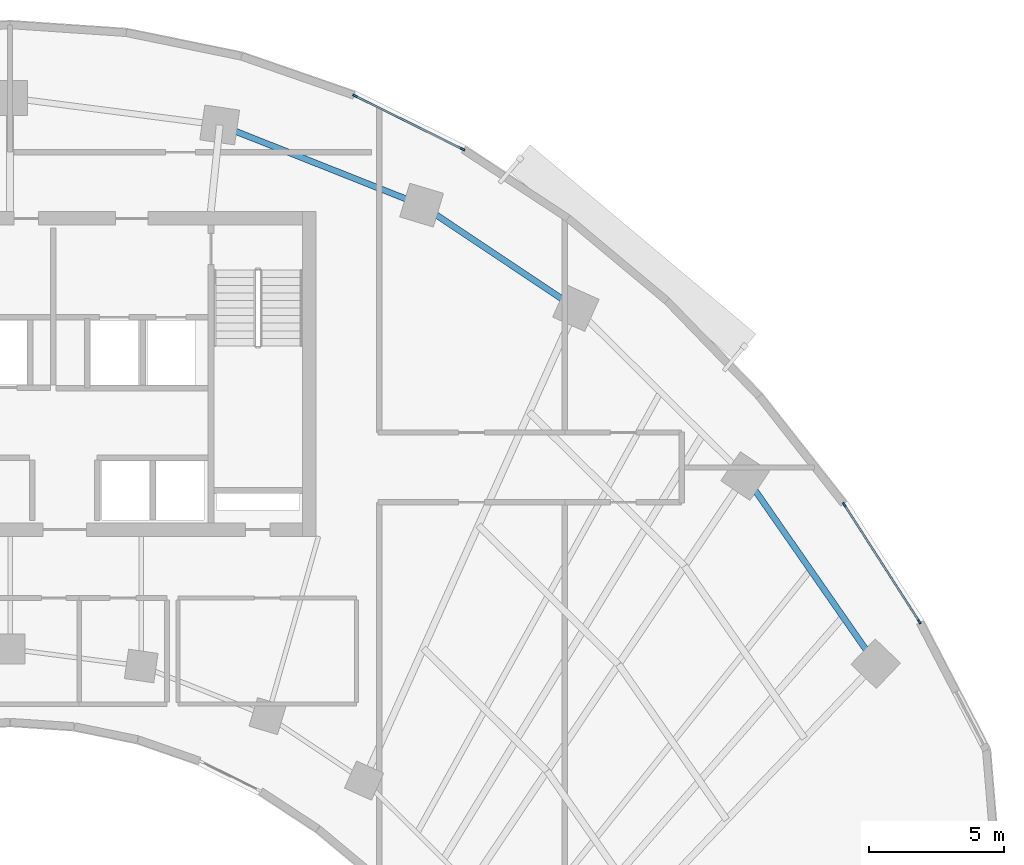
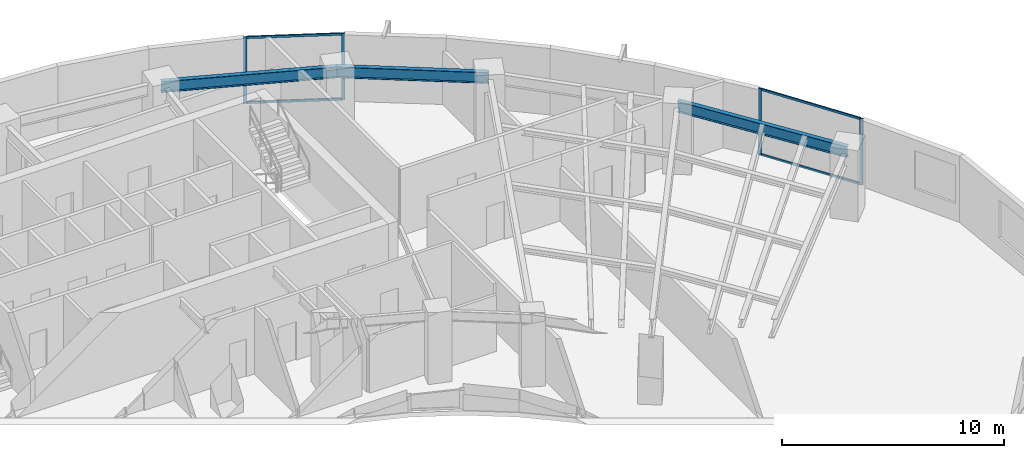
# One storey, part 6 of 13: 8 members, 3 beams, 2 elements without a shape of their own.
"""IFC4 building model written with IfcOpenShell, lengths in metres."""

from ifc_helpers import new_model, si_unit, direction, frame, origin, origin_2d, place, context, subcontext, project, spatial, rectangle, i_section, extrude, source, transform, mapped, material, layer, layer_set, material_profile, profile_set, type_object, element, aggregate, save


model = new_model("IFC4")

# Units and contexts
model_context = context("Model", 3, precision=1e-05, world=origin(), true_north=direction((0.0, 1.0)))
body_context = subcontext(model_context, "Body", "Model", "MODEL_VIEW")
ifc_project = project(units=[si_unit("LENGTHUNIT", "METRE"), si_unit("AREAUNIT", "SQUARE_METRE"), si_unit("VOLUMEUNIT", "CUBIC_METRE"), si_unit("PLANEANGLEUNIT", "RADIAN"), si_unit("MASSUNIT", "GRAM", prefix="KILO")], contexts=[model_context])

# Site, building, storey
site_placement = place(None, origin())
site = spatial("IfcSite", under=ifc_project, at=site_placement, CompositionType="ELEMENT")
building_placement = place(site_placement, origin())
building = spatial("IfcBuilding", under=site, at=building_placement, Name="Breltana Convention Tower", CompositionType="ELEMENT")
storey_placement = place(building_placement, frame((0.0, 0.0, 107.699951171875)))
storey = spatial("IfcBuildingStorey", under=building, at=storey_placement, Name="L25", CompositionType="ELEMENT", Elevation=107.699951171875)

# Beams
ifc_material_1 = material(Name="Steel ASTM A992 Grade 50", Category="steel")
ifc_material_profile_1 = material_profile(ifc_material_1, i_section(OverallWidth=0.22802734375, OverallDepth=0.60791015625, WebThickness=0.01123046875, FlangeThickness=0.017333984375, at=origin_2d()), Name="W24X76")
ifc_profile_set_1 = profile_set([ifc_material_profile_1], Name="Steel ASTM A992 Grade 50")
beam_type = type_object("IfcBeamType", Name="BM-SP-W24X76", PredefinedType="SPANDREL", material=ifc_profile_set_1)
shared_shape_1 = source(origin(), body_context, "Body", "SweptSolid", [
    extrude(i_section(OverallWidth=0.22802734375, OverallDepth=0.60791015625, WebThickness=0.01123046875, FlangeThickness=0.017333984375, at=origin_2d()), origin(), (0.0, 0.0, 1.0), 8.028564453125),
])
beam_1_placement = place(storey_placement, frame((55.746826171875, 75.404296875, 3.345947265625), z_axis=(0.929459100394, -0.368925169507, 0.0), x_axis=(0.368925169507, 0.929459100394, 0.0)))
element("IfcBeam", 1, at=beam_1_placement, inside=storey, type_object=beam_type, Name="L25 Outer Spandrel Beam 07", PredefinedType="SPANDREL", context=body_context, shape_type="MappedRepresentation", body=[
    mapped(shared_shape_1, transform((0.0, 0.0, 0.0), scale=1.0)),
])
shared_shape_2 = source(origin(), body_context, "Body", "SweptSolid", [
    extrude(i_section(OverallWidth=0.22802734375, OverallDepth=0.60791015625, WebThickness=0.01123046875, FlangeThickness=0.017333984375, at=origin_2d()), origin(), (0.0, 0.0, 1.0), 6.856689453125),
])
beam_2_placement = place(storey_placement, frame((63.208984375, 72.4423828125, 3.345947265625), z_axis=(0.83150210718, -0.55552159792, 0.0), x_axis=(0.55552159792, 0.83150210718, 0.0)))
element("IfcBeam", 2, at=beam_2_placement, inside=storey, type_object=beam_type, Name="L25 Outer Spandrel Beam 08", PredefinedType="SPANDREL", context=body_context, shape_type="MappedRepresentation", body=[
    mapped(shared_shape_2, transform((0.0, 0.0, 0.0), scale=1.0)),
])
shared_shape_3 = source(origin(), body_context, "Body", "SweptSolid", [
    extrude(i_section(OverallWidth=0.22802734375, OverallDepth=0.60791015625, WebThickness=0.01123046875, FlangeThickness=0.017333984375, at=origin_2d()), origin(), (0.0, 0.0, 1.0), 8.44970703125),
])
beam_3_placement = place(storey_placement, frame((75.166748046875, 62.43017578125, 3.345947265625), z_axis=(0.5711855381, -0.820820979913, 0.0), x_axis=(0.820820979913, 0.5711855381, 0.0)))
element("IfcBeam", 3, at=beam_3_placement, inside=storey, type_object=beam_type, Name="L25 Outer Spandrel Beam 10", PredefinedType="SPANDREL", context=body_context, shape_type="MappedRepresentation", body=[
    mapped(shared_shape_3, transform((0.0, 0.0, 0.0), scale=1.0)),
])

# Curtain wall, members
ifc_material_2 = material(Name="Aluminium Anodised Bronze Frame", Category="aluminium")
ifc_layer = layer(ifc_material_2, 0.22998046875, Name="Aluminium Anodised Bronze Frame")
ifc_layer_set = layer_set([ifc_layer], Name="Aluminium Anodised Bronze Frame")
curtain_wall_type = type_object("IfcCurtainWallType", Name="CW-SYS-5", PredefinedType="NOTDEFINED", material=ifc_layer_set)
curtain_wall_1_placement = place(storey_placement, origin())
curtain_wall_1 = element("IfcCurtainWall", 4, at=curtain_wall_1_placement, inside=storey, type_object=curtain_wall_type, Name="L25 outer double-skin inner glazing 4", PredefinedType="NOTDEFINED")
ifc_material_3 = material(Name="Aluminium Anodised Bronze", Category="aluminium")
ifc_material_profile_2 = material_profile(ifc_material_3, rectangle(XDim=0.070068359375, YDim=0.1201171875, at=origin_2d()), Name="CWT-70X120")
ifc_profile_set_2 = profile_set([ifc_material_profile_2], Name="Aluminium Anodised Bronze")
member_type_1 = type_object("IfcMemberType", Name="CWT-120", PredefinedType="USERDEFINED", material=ifc_profile_set_2)
shared_shape_4 = source(origin(), body_context, "Body", "SweptSolid", [
    extrude(rectangle(XDim=0.070068359375, YDim=0.1201171875, at=origin_2d()), origin(), (0.0, 0.0, 1.0), 4.365478515625),
])
member_1_placement = place(storey_placement, frame((60.777099609375, 76.46630859375, 0.03515625), z_axis=(0.89595425125, -0.44414634938, 0.0), x_axis=(0.44414634938, 0.89595425125, 0.0)))
member_1 = element("IfcMember", 5, at=member_1_placement, type_object=member_type_1, Name="CW-05 transom 1.1", ObjectType="TRANSOM", PredefinedType="USERDEFINED", context=body_context, shape_type="MappedRepresentation", body=[
    mapped(shared_shape_4, transform((0.0, 0.0, 0.0), scale=1.0)),
])
member_2_placement = place(storey_placement, frame((60.777099609375, 76.46630859375, 3.614990234375), z_axis=(0.89595425125, -0.44414634938, 0.0), x_axis=(0.44414634938, 0.89595425125, 0.0)))
member_2 = element("IfcMember", 6, at=member_2_placement, type_object=member_type_1, Name="CW-05 transom 1.2", ObjectType="TRANSOM", PredefinedType="USERDEFINED", context=body_context, shape_type="MappedRepresentation", body=[
    mapped(shared_shape_4, transform((0.0, 0.0, 0.0), scale=1.0)),
])
ifc_material_profile_3 = material_profile(ifc_material_3, rectangle(XDim=0.070068359375, YDim=0.175048828125, at=origin_2d()), Name="CWM-70X175")
ifc_profile_set_3 = profile_set([ifc_material_profile_3], Name="Aluminium Anodised Bronze")
member_type_2 = type_object("IfcMemberType", Name="CWM-175", PredefinedType="MULLION", material=ifc_profile_set_3)
shared_shape_5 = source(origin(), body_context, "Body", "SweptSolid", [
    extrude(rectangle(XDim=0.070068359375, YDim=0.175048828125, at=origin_2d()), origin(), (0.0, 0.0, 1.0), 3.650146484375),
])
member_3_placement = place(storey_placement, frame((60.74560546875, 76.48193359375, 0.0), z_axis=(0.0, 0.0, 1.0), x_axis=(0.444121541007, 0.895966548937, 0.0)))
member_3 = element("IfcMember", 7, at=member_3_placement, type_object=member_type_2, Name="CW-05 mullion 1", PredefinedType="MULLION", context=body_context, shape_type="MappedRepresentation", body=[
    mapped(shared_shape_5, transform((0.0, 0.0, 0.0), scale=1.0)),
])
member_4_placement = place(storey_placement, frame((64.719970703125, 74.511962890625, 0.0), z_axis=(0.0, 0.0, 1.0), x_axis=(0.444121541007, 0.895966548937, 0.0)))
member_4 = element("IfcMember", 8, at=member_4_placement, type_object=member_type_2, Name="CW-05 mullion 2", PredefinedType="MULLION", context=body_context, shape_type="MappedRepresentation", body=[
    mapped(shared_shape_5, transform((0.0, 0.0, 0.0), scale=1.0)),
])
aggregate(curtain_wall_1, [member_3, member_4, member_1, member_2])

curtain_wall_2_placement = place(storey_placement, origin())
curtain_wall_2 = element("IfcCurtainWall", 9, at=curtain_wall_2_placement, inside=storey, type_object=curtain_wall_type, Name="L25 outer double-skin inner glazing 5", PredefinedType="NOTDEFINED")
member_5_placement = place(storey_placement, frame((78.830322265625, 61.370849609375, 0.0), z_axis=(0.0, 0.0, 1.0), x_axis=(0.84155155167, 0.540176809834, 0.0)))
member_5 = element("IfcMember", 10, at=member_5_placement, type_object=member_type_2, Name="CW-05 mullion 1", PredefinedType="MULLION", context=body_context, shape_type="MappedRepresentation", body=[
    mapped(shared_shape_5, transform((0.0, 0.0, 0.0), scale=1.0)),
])
member_6_placement = place(storey_placement, frame((81.604248046875, 57.049560546875, 0.0), z_axis=(0.0, 0.0, 1.0), x_axis=(0.84155155167, 0.540176809834, 0.0)))
member_6 = element("IfcMember", 11, at=member_6_placement, type_object=member_type_2, Name="CW-05 mullion 2", PredefinedType="MULLION", context=body_context, shape_type="MappedRepresentation", body=[
    mapped(shared_shape_5, transform((0.0, 0.0, 0.0), scale=1.0)),
])
shared_shape_6 = source(origin(), body_context, "Body", "SweptSolid", [
    extrude(rectangle(XDim=0.070068359375, YDim=0.1201171875, at=origin_2d()), origin(), (0.0, 0.0, 1.0), 5.065185546875),
])
member_7_placement = place(storey_placement, frame((78.849365234375, 61.341552734375, 0.03515625), z_axis=(0.540167932383, -0.84155724988, 0.0), x_axis=(0.84155724988, 0.540167932383, 0.0)))
member_7 = element("IfcMember", 12, at=member_7_placement, type_object=member_type_1, Name="CW-05 transom 1.1", ObjectType="TRANSOM", PredefinedType="USERDEFINED", context=body_context, shape_type="MappedRepresentation", body=[
    mapped(shared_shape_6, transform((0.0, 0.0, 0.0), scale=1.0)),
])
member_8_placement = place(storey_placement, frame((78.849365234375, 61.341552734375, 3.614990234375), z_axis=(0.540167932383, -0.84155724988, 0.0), x_axis=(0.84155724988, 0.540167932383, 0.0)))
member_8 = element("IfcMember", 13, at=member_8_placement, type_object=member_type_1, Name="CW-05 transom 1.2", ObjectType="TRANSOM", PredefinedType="USERDEFINED", context=body_context, shape_type="MappedRepresentation", body=[
    mapped(shared_shape_6, transform((0.0, 0.0, 0.0), scale=1.0)),
])
aggregate(curtain_wall_2, [member_5, member_6, member_7, member_8])

save(model, "model.ifc")
